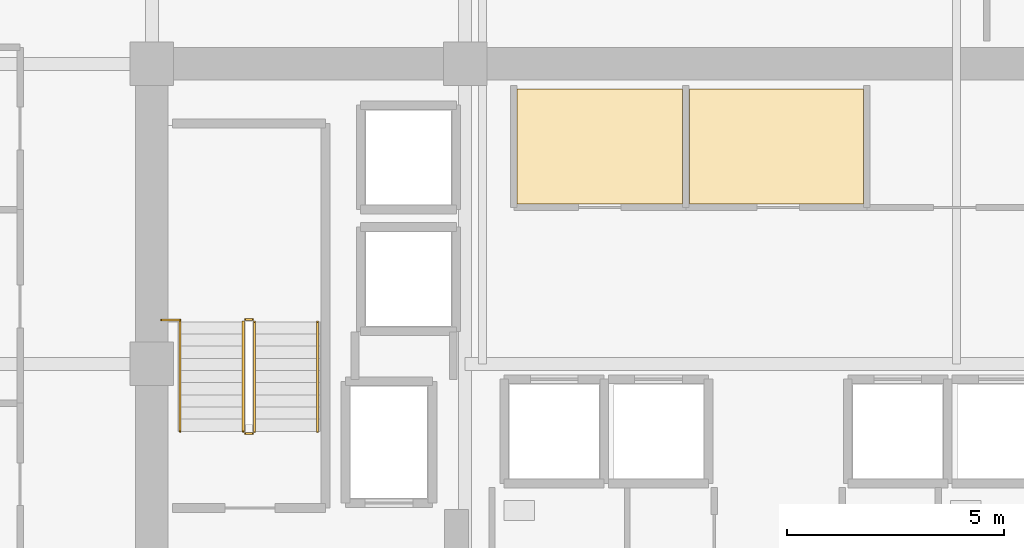
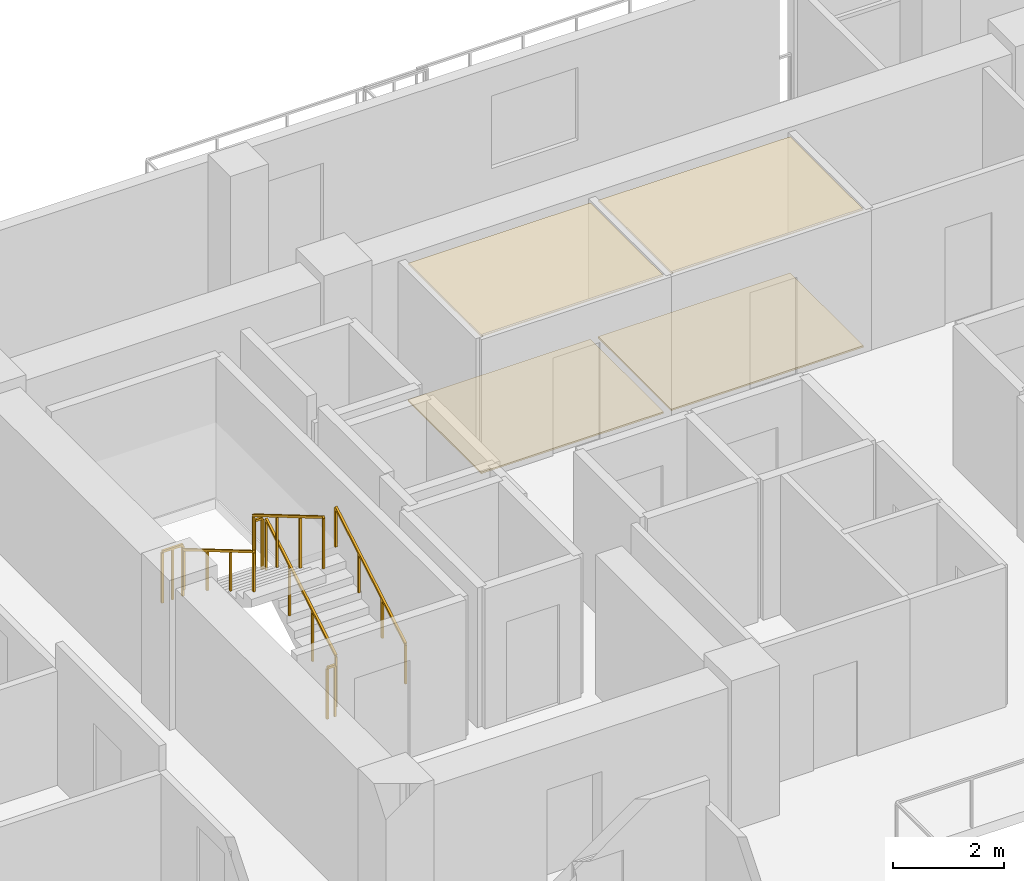
# One storey, part 20 of 23: 7 railings, 4 coverings.
"""IFC4 building model written with IfcOpenShell, lengths in metres."""

import ifcopenshell
import ifcopenshell.guid

model = None  # the IFC model being written
_history = None  # IfcOwnerHistory: only IFC2X3 demands one
_inside = {}  # id of a spatial element -> (the spatial element, [elements in it])
_under = {}  # id of a project, library or spatial element -> (it, [spatial elements below it])
_declared = {}  # id of a project -> (the project, [libraries it declares])
_typed = {}  # id of a type object -> (the type object, [elements of that type])
_made_of = {}  # id of a material, layer set ... -> (it, [elements and type objects made of it])


def new_model(schema):
    """Start an empty IFC model of exactly this schema.

    Asked for "IFC4X3", IfcOpenShell would pick the latest addendum, in which some entities
    have other attributes; the version numbers below select the first issue.
    IFC2X3 requires an IfcOwnerHistory on every rooted entity: one is made here for all.
    """
    global model, _history
    if schema == "IFC4X3":
        model = ifcopenshell.file(schema_version=(4, 3, 0, 0))
    else:
        model = ifcopenshell.file(schema=schema)
    _inside.clear()
    _under.clear()
    _declared.clear()
    _typed.clear()
    _made_of.clear()
    _history = None
    if model.schema == "IFC2X3":
        org = make("IfcOrganization", Name="unknown")
        user = make(
            "IfcPersonAndOrganization",
            ThePerson=make("IfcPerson", FamilyName="unknown"),
            TheOrganization=org,
        )
        app = make(
            "IfcApplication",
            ApplicationDeveloper=org,
            Version="unknown",
            ApplicationFullName="unknown",
            ApplicationIdentifier="unknown",
        )
        _history = make(
            "IfcOwnerHistory",
            OwningUser=user,
            OwningApplication=app,
            ChangeAction="ADDED",
            CreationDate=0,
        )
    return model


def make(cls, **values):
    """One entity of the class cls with the attributes given. An attribute that is None is left unset."""
    return model.create_entity(
        cls, **{name: value for name, value in values.items() if value is not None}
    )


def rooted(cls, **values):
    """An entity with a GlobalId (a new one), such as an element, a storey or a relation."""
    return make(cls, GlobalId=ifcopenshell.guid.new(), OwnerHistory=_history, **values)


def si_unit(unit_type, name, prefix=None):
    """IfcSIUnit, for example si_unit("LENGTHUNIT", "METRE", prefix="MILLI")."""
    return make("IfcSIUnit", UnitType=unit_type, Prefix=prefix, Name=name)


def assignment(units):
    """IfcUnitAssignment: the units of a project."""
    return None if units is None else make("IfcUnitAssignment", Units=units)


def point(xyz):
    """IfcCartesianPoint."""
    return None if xyz is None else make("IfcCartesianPoint", Coordinates=xyz)


def direction(xyz):
    """IfcDirection."""
    return None if xyz is None else make("IfcDirection", DirectionRatios=xyz)


def frame(location, z_axis=None, x_axis=None):
    """IfcAxis2Placement3D, a coordinate frame: its origin and axes. An axis left out is left unset."""
    return make(
        "IfcAxis2Placement3D",
        Location=point(location),
        Axis=direction(z_axis),
        RefDirection=direction(x_axis),
    )


def frame_2d(location, x_axis=None):
    """IfcAxis2Placement2D, a coordinate frame in the plane: its origin and x axis."""
    return make(
        "IfcAxis2Placement2D", Location=point(location), RefDirection=direction(x_axis)
    )


def origin():
    """The frame at (0, 0, 0) with its axes left unset."""
    return frame((0.0, 0.0, 0.0))


def origin_2d():
    """The frame at (0, 0) in the plane with its x axis left unset."""
    return frame_2d((0.0, 0.0))


def place(relative_to, where):
    """IfcLocalPlacement: puts the frame where relative to a parent placement (None: the world)."""
    return make(
        "IfcLocalPlacement", PlacementRelTo=relative_to, RelativePlacement=where
    )


def context(
    kind, dimensions, precision=None, world=None, true_north=None, identifier=None
):
    """IfcGeometricRepresentationContext, for example the 3D "Model" context."""
    return make(
        "IfcGeometricRepresentationContext",
        ContextIdentifier=identifier,
        ContextType=kind,
        CoordinateSpaceDimension=dimensions,
        Precision=precision,
        WorldCoordinateSystem=world,
        TrueNorth=true_north,
    )


def subcontext(parent, identifier, kind, view, scale=None):
    """IfcGeometricRepresentationSubContext, for example "Body" below "Model"."""
    return make(
        "IfcGeometricRepresentationSubContext",
        ContextIdentifier=identifier,
        ContextType=kind,
        ParentContext=parent,
        TargetScale=scale,
        TargetView=view,
    )


def project(units=None, contexts=None):
    """IfcProject with its units and contexts."""
    return rooted(
        "IfcProject",
        Name="project",
        RepresentationContexts=contexts,
        UnitsInContext=assignment(units),
    )


def spatial(cls, under=None, at=None, **own):
    """A site, building, storey or space (cls), placed at a placement, below another one or the project."""
    s = rooted(cls, ObjectPlacement=at, **own)
    if under is not None:
        _under.setdefault(under.id(), (under, []))[1].append(s)
    return s


def polyline(points):
    """IfcPolyline through the points."""
    return make("IfcPolyline", Points=[point(p) for p in points])


def profile(cls, at=None, kind="AREA", **sizes):
    """A parametric profile (cls). Its sizes go by their IFC names, for example OverallWidth=200.0."""
    return make(cls, ProfileType=kind, Position=at, **sizes)


def rectangle(**sizes):
    """IfcRectangleProfileDef."""
    return profile("IfcRectangleProfileDef", **sizes)


def outline(outer, holes=None, kind="AREA"):
    """IfcArbitraryClosedProfileDef: a profile drawn as a closed curve; with holes, ...WithVoids."""
    if holes is None:
        return make("IfcArbitraryClosedProfileDef", ProfileType=kind, OuterCurve=outer)
    return make(
        "IfcArbitraryProfileDefWithVoids",
        ProfileType=kind,
        OuterCurve=outer,
        InnerCurves=holes,
    )


def extrude(swept, where, along, depth):
    """IfcExtrudedAreaSolid: the profile swept, set in the frame where, extruded along a direction by depth."""
    return make(
        "IfcExtrudedAreaSolid",
        SweptArea=swept,
        Position=where,
        ExtrudedDirection=direction(along),
        Depth=depth,
    )


def shape(context_of_items, identifier, shape_type, items):
    """IfcShapeRepresentation: the items that make up one representation, for example the "Body"."""
    return make(
        "IfcShapeRepresentation",
        ContextOfItems=context_of_items,
        RepresentationIdentifier=identifier,
        RepresentationType=shape_type,
        Items=items,
    )


def material(Name=None, Category=None):
    """IfcMaterial."""
    return make("IfcMaterial", Name=Name, Category=Category)


def layer(
    of_material, thickness, ventilated=None, Name=None, Category=None, Priority=None
):
    """IfcMaterialLayer: one layer of a wall or slab, of a material (None: an air gap)."""
    return make(
        "IfcMaterialLayer",
        Material=of_material,
        LayerThickness=thickness,
        IsVentilated=ventilated,
        Name=Name,
        Category=Category,
        Priority=Priority,
    )


def layer_set(layers, Name=None):
    """IfcMaterialLayerSet."""
    return make("IfcMaterialLayerSet", MaterialLayers=layers, LayerSetName=Name)


def made_of(thing, what):
    """Note that an element or type object is made of a material, layer set ...; save() writes the relation."""
    if what is not None:
        _made_of.setdefault(what.id(), (what, []))[1].append(thing)
    return thing


def type_object(cls, material=None, **own):
    """A type object (cls), such as IfcWallType, which elements share."""
    return made_of(rooted(cls, **own), material)


def element(
    cls,
    number,
    at=None,
    inside=None,
    cuts=None,
    type_object=None,
    material=None,
    context=None,
    identifier="Body",
    shape_type=None,
    held_by="IfcProductDefinitionShape",
    body=None,
    shapes=None,
    **own,
):
    """One element of the class cls, such as IfcWall. Its Tag is "e" and its number.

    at: its placement. inside: the storey or other place that contains it. cuts: it is an
    opening in that element (IfcRelVoidsElement). A single representation is given by context,
    identifier, shape_type and body (its items); several are given by shapes. held_by: the class
    of the entity that holds the representations. save() writes the other relations.
    """
    e = rooted(cls, Tag="e%d" % number, ObjectPlacement=at, **own)
    if body is not None:
        shapes = [shape(context, identifier, shape_type, body)]
    if shapes is not None:
        e.Representation = make(held_by, Representations=shapes)
    if inside is not None:
        _inside.setdefault(inside.id(), (inside, []))[1].append(e)
    if cuts is not None:
        rooted(
            "IfcRelVoidsElement", RelatingBuildingElement=cuts, RelatedOpeningElement=e
        )
    if type_object is not None:
        _typed.setdefault(type_object.id(), (type_object, []))[1].append(e)
    return made_of(e, material)


def aggregate(whole, parts):
    """IfcRelAggregates: a whole, such as a stair, and the parts it consists of."""
    return rooted("IfcRelAggregates", RelatingObject=whole, RelatedObjects=parts)


def save(model, path):
    """Write the relations noted so far, then the file.

    IfcRelAggregates (storeys below a building ...), IfcRelContainedInSpatialStructure (elements
    in a storey), IfcRelDefinesByType, IfcRelAssociatesMaterial and IfcRelDeclares: one each for
    every whole, place, type object, material and project.
    """
    for whole, parts in _under.values():
        aggregate(whole, parts)
    for where, things in _inside.values():
        rooted(
            "IfcRelContainedInSpatialStructure",
            RelatedElements=things,
            RelatingStructure=where,
        )
    for kind, things in _typed.values():
        rooted("IfcRelDefinesByType", RelatedObjects=things, RelatingType=kind)
    for what, things in _made_of.values():
        rooted("IfcRelAssociatesMaterial", RelatedObjects=things, RelatingMaterial=what)
    for by, libraries in _declared.values():
        rooted("IfcRelDeclares", RelatingContext=by, RelatedDefinitions=libraries)
    model.write(path)


model = new_model("IFC4")

# Units and contexts
model_context = context("Model", 3, precision=1e-05, world=origin(), true_north=direction((0.0, 1.0)))
body_context = subcontext(model_context, "Body", "Model", "MODEL_VIEW")
ifc_project = project(units=[si_unit("LENGTHUNIT", "METRE"), si_unit("AREAUNIT", "SQUARE_METRE"), si_unit("VOLUMEUNIT", "CUBIC_METRE"), si_unit("PLANEANGLEUNIT", "RADIAN"), si_unit("MASSUNIT", "GRAM", prefix="KILO")], contexts=[model_context])

# Site, building, storey
site_placement = place(None, origin())
site = spatial("IfcSite", under=ifc_project, at=site_placement, CompositionType="ELEMENT")
building_placement = place(site_placement, origin())
building = spatial("IfcBuilding", under=site, at=building_placement, Name="Zarnakvel Exchange Tower", CompositionType="ELEMENT")
storey_placement = place(building_placement, frame((0.0, 0.0, 116.5)))
storey = spatial("IfcBuildingStorey", under=building, at=storey_placement, Name="L32", CompositionType="ELEMENT", Elevation=116.5)

# Coverings
ifc_material_1 = material(Name="Perforated Bronze Acoustic Metal Ceiling", Category="aluminium")
ifc_layer_1 = layer(ifc_material_1, 0.02001953125)
ifc_layer_set_1 = layer_set([ifc_layer_1], Name="Perforated Bronze Acoustic Metal Ceiling")
covering_type_1 = type_object("IfcCoveringType", Name="CLG-01", PredefinedType="CEILING", material=ifc_layer_set_1)
covering_1_placement = place(storey_placement, frame((0.0, 0.0, 3.014892578125)))
element("IfcCovering", 1, at=covering_1_placement, inside=storey, type_object=covering_type_1, Name="L32 Suspended Acoustic Ceiling (Clearing Records Office)", PredefinedType="CEILING", context=body_context, shape_type="SweptSolid", body=[
    extrude(outline(polyline([(-6.0, 12.919921875), (-2.199951171875, 12.919921875), (-2.199951171875, 10.280029296875), (-6.0, 10.280029296875), (-6.0, 12.919921875)])), origin(), (0.0, 0.0, 1.0), 0.02001953125),
])
covering_2_placement = place(storey_placement, frame((0.0, 0.0, 3.014892578125)))
element("IfcCovering", 2, at=covering_2_placement, inside=storey, type_object=covering_type_1, Name="L32 Suspended Acoustic Ceiling (Brokerage Filing Room)", PredefinedType="CEILING", context=body_context, shape_type="SweptSolid", body=[
    extrude(outline(polyline([(-2.0400390625, 12.919921875), (1.9599609375, 12.919921875), (1.9599609375, 10.280029296875), (-2.0400390625, 10.280029296875), (-2.0400390625, 12.919921875)])), origin(), (0.0, 0.0, 1.0), 0.02001953125),
])
ifc_material_2 = material(Name="Heavy-Duty Raised Access Floor Panel", Category="steel")
ifc_layer_2 = layer(ifc_material_2, 0.034912109375)
ifc_layer_set_2 = layer_set([ifc_layer_2], Name="Heavy-Duty Raised Access Floor Panel")
covering_type_2 = type_object("IfcCoveringType", Name="FLR-02", PredefinedType="FLOORING", material=ifc_layer_set_2)
covering_3_placement = place(storey_placement, origin())
element("IfcCovering", 3, at=covering_3_placement, inside=storey, type_object=covering_type_2, Name="L32 Floor Finish (Clearing Records Office)", PredefinedType="FLOORING", context=body_context, shape_type="SweptSolid", body=[
    extrude(outline(polyline([(-6.0, 12.919921875), (-2.199951171875, 12.919921875), (-2.199951171875, 10.280029296875), (-6.0, 10.280029296875), (-6.0, 12.919921875)])), origin(), (0.0, 0.0, 1.0), 0.034912109375),
])
covering_4_placement = place(storey_placement, origin())
element("IfcCovering", 4, at=covering_4_placement, inside=storey, type_object=covering_type_2, Name="L32 Floor Finish (Brokerage Filing Room)", PredefinedType="FLOORING", context=body_context, shape_type="SweptSolid", body=[
    extrude(outline(polyline([(-2.0400390625, 12.919921875), (1.9599609375, 12.919921875), (1.9599609375, 10.280029296875), (-2.0400390625, 10.280029296875), (-2.0400390625, 12.919921875)])), origin(), (0.0, 0.0, 1.0), 0.034912109375),
])

# Railings
ifc_material_3 = material(Name="Brushed Stainless Steel", Category="steel")
railing_type_1 = type_object("IfcRailingType", Name="HR-01", PredefinedType="HANDRAIL", material=ifc_material_3)
railing_1_placement = place(storey_placement, frame((-10.590087890625, 5.050048828125, 0.1650390625)))
element("IfcRailing", 5, at=railing_1_placement, inside=storey, type_object=railing_type_1, Name="L32 ST-01 stair handrail 1", PredefinedType="HANDRAIL", context=body_context, shape_type="SweptSolid", body=[
    extrude(rectangle(XDim=0.048095703125, YDim=0.048095703125, at=origin_2d()), frame((0.0, 0.0, 0.8759765625), z_axis=(0.0, 0.861560626758, 0.507654692109), x_axis=(-1.0, 0.0, 0.0)), (0.0, 0.0, 1.0), 2.925048828125),
    extrude(rectangle(XDim=0.0419921875, YDim=0.0419921875, at=origin_2d()), origin(), (0.0, 0.0, 1.0), 0.851806640625),
    extrude(rectangle(XDim=0.0419921875, YDim=0.0419921875, at=origin_2d()), frame((0.0, 0.840087890625, 0.494873046875)), (0.0, 0.0, 1.0), 0.851806640625),
    extrude(rectangle(XDim=0.0419921875, YDim=0.0419921875, at=origin_2d()), frame((0.0, 1.679931640625, 0.989990234375)), (0.0, 0.0, 1.0), 0.851806640625),
    extrude(rectangle(XDim=0.0419921875, YDim=0.0419921875, at=origin_2d()), frame((0.0, 2.52001953125, 1.48486328125)), (0.0, 0.0, 1.0), 0.851806640625),
])
railing_2_placement = place(storey_placement, frame((-13.75, 7.570068359375, 1.81494140625)))
element("IfcRailing", 6, at=railing_2_placement, inside=storey, type_object=railing_type_1, Name="L32 ST-01 stair handrail 2", PredefinedType="HANDRAIL", context=body_context, shape_type="SweptSolid", body=[
    extrude(rectangle(XDim=0.048095703125, YDim=0.048095703125, at=origin_2d()), frame((0.0, 0.0, 0.8759765625), z_axis=(0.0, -0.86152411907, 0.507716645641), x_axis=(1.0, 0.0, 0.0)), (0.0, 0.0, 1.0), 2.925048828125),
    extrude(rectangle(XDim=0.0419921875, YDim=0.0419921875, at=origin_2d()), origin(), (0.0, 0.0, 1.0), 0.851806640625),
    extrude(rectangle(XDim=0.0419921875, YDim=0.0419921875, at=origin_2d()), frame((0.0, -0.840087890625, 0.4951171875)), (0.0, 0.0, 1.0), 0.851806640625),
    extrude(rectangle(XDim=0.0419921875, YDim=0.0419921875, at=origin_2d()), frame((0.0, -1.679931640625, 0.989990234375)), (0.0, 0.0, 1.0), 0.851806640625),
    extrude(rectangle(XDim=0.0419921875, YDim=0.0419921875, at=origin_2d()), frame((0.0, -2.52001953125, 1.485107421875)), (0.0, 0.0, 1.0), 0.851806640625),
])
ifc_material_4 = material(Name="Architectural Bronze Anodised Aluminium", Category="aluminium")
railing_type_2 = type_object("IfcRailingType", Name="SG-01", PredefinedType="GUARDRAIL", material=ifc_material_4)
railing_3_placement = place(storey_placement, frame((-12.0400390625, 5.050048828125, 0.1650390625)))
element("IfcRailing", 7, at=railing_3_placement, inside=storey, type_object=railing_type_2, Name="L32 ST-01 stair guard 1", PredefinedType="GUARDRAIL", context=body_context, shape_type="SweptSolid", body=[
    extrude(rectangle(XDim=0.048095703125, YDim=0.048095703125, at=origin_2d()), frame((0.0, 0.0, 1.1259765625), z_axis=(0.0, 0.861560626758, 0.507654692109), x_axis=(-1.0, 0.0, 0.0)), (0.0, 0.0, 1.0), 2.925048828125),
    extrude(rectangle(XDim=0.0419921875, YDim=0.0419921875, at=origin_2d()), origin(), (0.0, 0.0, 1.0), 1.101806640625),
    extrude(rectangle(XDim=0.0419921875, YDim=0.0419921875, at=origin_2d()), frame((0.0, 0.840087890625, 0.494873046875)), (0.0, 0.0, 1.0), 1.101806640625),
    extrude(rectangle(XDim=0.0419921875, YDim=0.0419921875, at=origin_2d()), frame((0.0, 1.679931640625, 0.989990234375)), (0.0, 0.0, 1.0), 1.101806640625),
    extrude(rectangle(XDim=0.0419921875, YDim=0.0419921875, at=origin_2d()), frame((0.0, 2.52001953125, 1.48486328125)), (0.0, 0.0, 1.0), 1.101806640625),
])
railing_4_placement = place(storey_placement, frame((-12.090087890625, 7.6201171875, 1.64990234375)))
element("IfcRailing", 8, at=railing_4_placement, inside=storey, type_object=railing_type_2, Name="L32 ST-01 stair guard 2", PredefinedType="GUARDRAIL", context=body_context, shape_type="SweptSolid", body=[
    extrude(rectangle(XDim=0.048095703125, YDim=0.048095703125, at=origin_2d()), frame((0.0, 0.0, 1.1259765625), z_axis=(-1.0, 0.0, 0.0), x_axis=(0.0, -1.0, 0.0)), (0.0, 0.0, 1.0), 0.159912109375),
    extrude(rectangle(XDim=0.0419921875, YDim=0.0419921875, at=origin_2d()), origin(), (0.0, 0.0, 1.0), 1.101806640625),
    extrude(rectangle(XDim=0.0419921875, YDim=0.0419921875, at=origin_2d()), frame((-0.159912109375, 0.0, 0.0)), (0.0, 0.0, 1.0), 1.101806640625),
])
railing_5_placement = place(storey_placement, frame((-12.300048828125, 7.570068359375, 1.81494140625)))
element("IfcRailing", 9, at=railing_5_placement, inside=storey, type_object=railing_type_2, Name="L32 ST-01 stair guard 3", PredefinedType="GUARDRAIL", context=body_context, shape_type="SweptSolid", body=[
    extrude(rectangle(XDim=0.048095703125, YDim=0.048095703125, at=origin_2d()), frame((0.0, 0.0, 1.1259765625), z_axis=(0.0, -0.86152411907, 0.507716645641), x_axis=(1.0, 0.0, 0.0)), (0.0, 0.0, 1.0), 2.925048828125),
    extrude(rectangle(XDim=0.0419921875, YDim=0.0419921875, at=origin_2d()), origin(), (0.0, 0.0, 1.0), 1.101806640625),
    extrude(rectangle(XDim=0.0419921875, YDim=0.0419921875, at=origin_2d()), frame((0.0, -0.840087890625, 0.4951171875)), (0.0, 0.0, 1.0), 1.101806640625),
    extrude(rectangle(XDim=0.0419921875, YDim=0.0419921875, at=origin_2d()), frame((0.0, -1.679931640625, 0.989990234375)), (0.0, 0.0, 1.0), 1.101806640625),
    extrude(rectangle(XDim=0.0419921875, YDim=0.0419921875, at=origin_2d()), frame((0.0, -2.52001953125, 1.485107421875)), (0.0, 0.0, 1.0), 1.101806640625),
])
railing_6_placement = place(storey_placement, frame((-12.090087890625, 5.0, 0.0)))
element("IfcRailing", 10, at=railing_6_placement, inside=storey, type_object=railing_type_2, Name="L32 ST-01 stair guard 4", PredefinedType="GUARDRAIL", context=body_context, shape_type="SweptSolid", body=[
    extrude(rectangle(XDim=0.048095703125, YDim=0.048095703125, at=origin_2d()), frame((0.0, 0.0, 1.1259765625), z_axis=(-1.0, 0.0, 0.0), x_axis=(0.0, -1.0, 0.0)), (0.0, 0.0, 1.0), 0.159912109375),
    extrude(rectangle(XDim=0.0419921875, YDim=0.0419921875, at=origin_2d()), origin(), (0.0, 0.0, 1.0), 1.101806640625),
    extrude(rectangle(XDim=0.0419921875, YDim=0.0419921875, at=origin_2d()), frame((-0.159912109375, 0.0, 0.0)), (0.0, 0.0, 1.0), 1.101806640625),
])
railing_7_placement = place(storey_placement, frame((-14.179931640625, 7.610107421875, 1.64990234375)))
element("IfcRailing", 11, at=railing_7_placement, inside=storey, type_object=railing_type_2, Name="L32 ST-01 Landing Slot Guardrail", PredefinedType="GUARDRAIL", context=body_context, shape_type="SweptSolid", body=[
    extrude(rectangle(XDim=0.048095703125, YDim=0.048095703125, at=origin_2d()), frame((0.0, 0.0, 1.1259765625), z_axis=(1.0, 0.0, 0.0), x_axis=(0.0, 1.0, 0.0)), (0.0, 0.0, 1.0), 0.429931640625),
    extrude(rectangle(XDim=0.0419921875, YDim=0.0419921875, at=origin_2d()), origin(), (0.0, 0.0, 1.0), 1.101806640625),
    extrude(rectangle(XDim=0.0419921875, YDim=0.0419921875, at=origin_2d()), frame((0.21484375, 0.0, 0.0)), (0.0, 0.0, 1.0), 1.101806640625),
    extrude(rectangle(XDim=0.0419921875, YDim=0.0419921875, at=origin_2d()), frame((0.429931640625, 0.0, 0.0)), (0.0, 0.0, 1.0), 1.101806640625),
])

save(model, "model.ifc")
